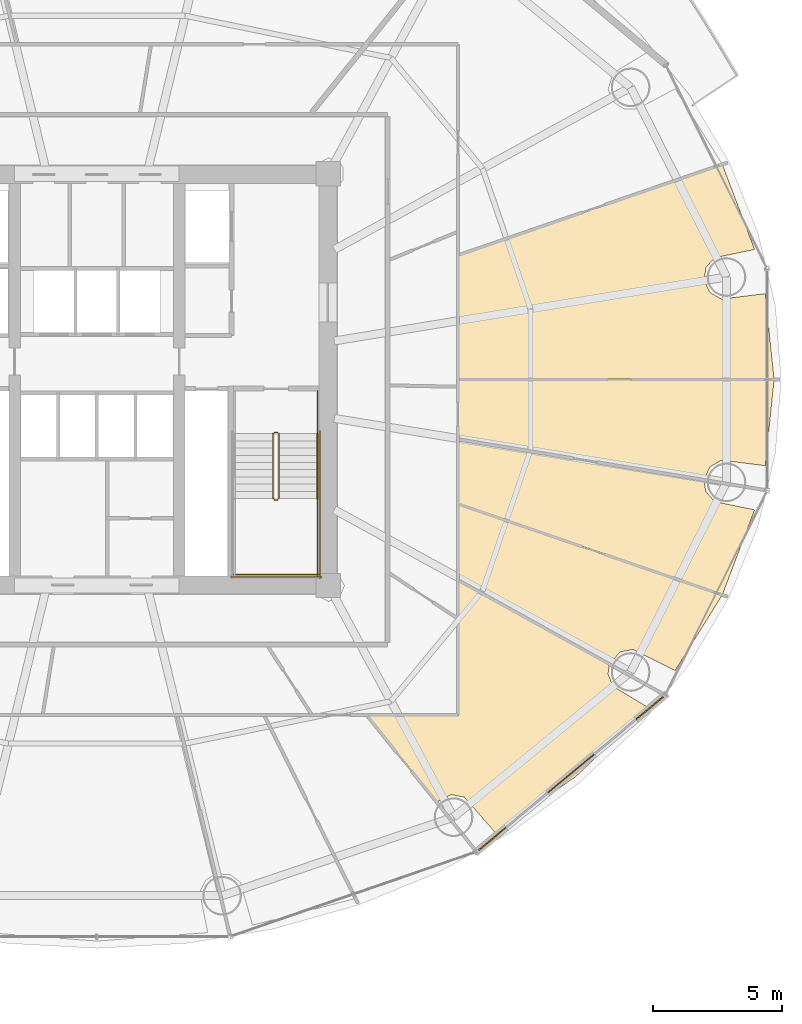
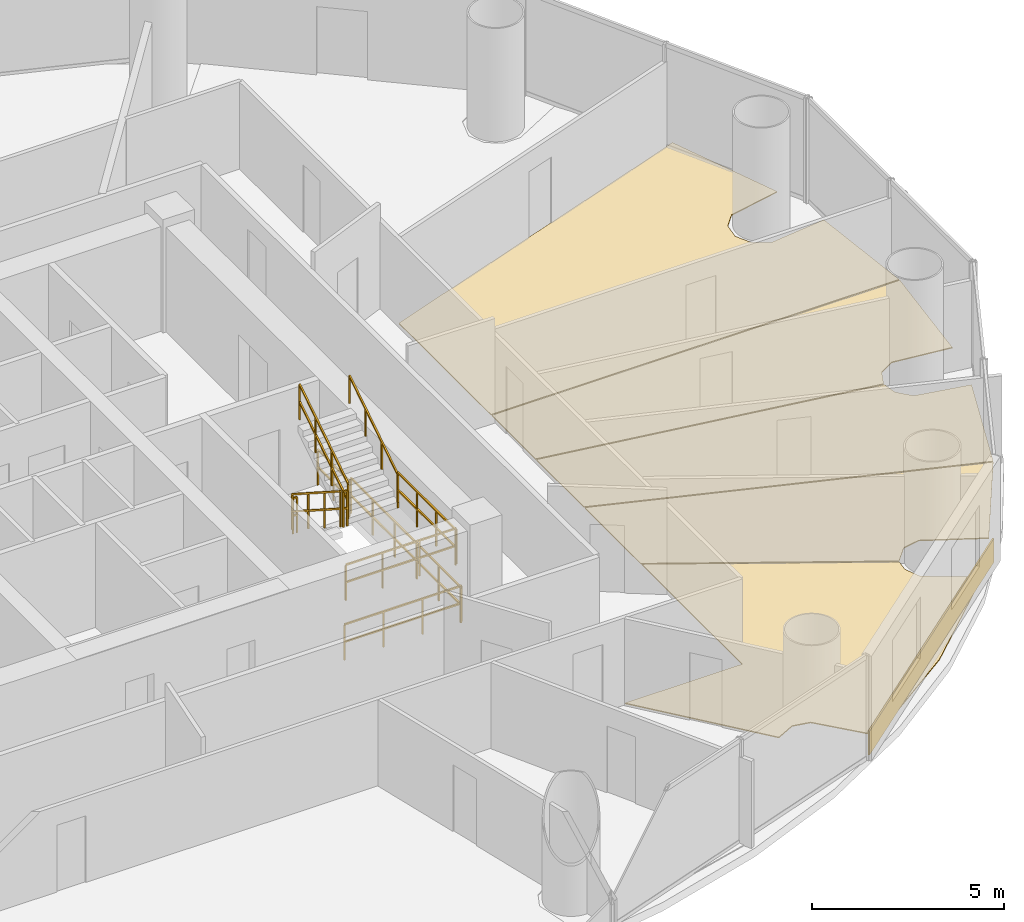
# One storey, part 28 of 29: 10 railings, 6 coverings.
"""IFC4 building model written with IfcOpenShell, lengths in metres."""

from ifc_helpers import new_model, si_unit, direction, frame, origin, origin_2d, place, context, subcontext, project, spatial, polyline, rectangle, outline, extrude, source, transform, mapped, material, layer, layer_set, type_object, element, save


model = new_model("IFC4")

# Units and contexts
model_context = context("Model", 3, precision=1e-05, world=origin(), true_north=direction((-0.2419218956, 0.970295726276)))
body_context = subcontext(model_context, "Body", "Model", "MODEL_VIEW")
ifc_project = project(units=[si_unit("LENGTHUNIT", "METRE"), si_unit("AREAUNIT", "SQUARE_METRE"), si_unit("VOLUMEUNIT", "CUBIC_METRE"), si_unit("PLANEANGLEUNIT", "RADIAN"), si_unit("MASSUNIT", "GRAM", prefix="KILO")], contexts=[model_context])

# Site, building, storey
site_placement = place(None, origin())
site = spatial("IfcSite", under=ifc_project, at=site_placement, CompositionType="ELEMENT")
building_placement = place(site_placement, origin())
building = spatial("IfcBuilding", under=site, at=building_placement, Name="Cobrevalo Terracotta Tower", CompositionType="ELEMENT")
storey_placement = place(building_placement, frame((0.0, 0.0, 115.800048828125)))
storey = spatial("IfcBuildingStorey", under=building, at=storey_placement, Name="L30", CompositionType="ELEMENT", Elevation=115.800048828125)

# Coverings
ifc_material_1 = material(Name="Engineered Brazilian hardwood flooring", Category="wood")
ifc_layer_1 = layer(ifc_material_1, 0.028076171875)
ifc_layer_set_1 = layer_set([ifc_layer_1], Name="Engineered Brazilian hardwood flooring")
covering_type_1 = type_object("IfcCoveringType", Name="Engineered Hardwood Suite Flooring 28", PredefinedType="FLOORING", material=ifc_layer_set_1)
covering_1_placement = place(storey_placement, origin())
element("IfcCovering", 1, at=covering_1_placement, inside=storey, type_object=covering_type_1, Name="Flat L30B Principal Guest Bedroom floor finish", PredefinedType="FLOORING", context=body_context, shape_type="SweptSolid", body=[
    extrude(outline(polyline([(56.6123046875, 11.372314453125), (53.488525390625, 9.193359375), (52.27880859375, 10.5712890625), (51.778076171875, 10.672607421875), (51.219970703125, 10.393798828125), (48.52490234375, 13.7451171875), (52.054931640625, 13.7451171875), (52.054931640625, 18.974609375), (57.916259765625, 15.720703125), (57.868408203125, 15.361328125), (58.05908203125, 14.88720703125), (59.35302734375, 14.102294921875), (58.882080078125, 13.518310546875), (56.6123046875, 11.372314453125)])), origin(), (0.0, 0.0, 1.0), 0.030029296875),
])
covering_2_placement = place(storey_placement, origin())
element("IfcCovering", 2, at=covering_2_placement, inside=storey, type_object=covering_type_1, Name="Flat L30B South Bedroom floor finish", PredefinedType="FLOORING", context=body_context, shape_type="SweptSolid", body=[
    extrude(outline(polyline([(60.474853515625, 15.49462890625), (58.84033203125, 16.3134765625), (58.338134765625, 16.218994140625), (57.9296875, 15.759033203125), (52.054931640625, 19.020263671875), (52.054931640625, 21.94189453125), (62.296875, 18.417236328125), (60.474853515625, 15.49462890625)])), origin(), (0.0, 0.0, 1.0), 0.030029296875),
])
covering_3_placement = place(storey_placement, origin())
element("IfcCovering", 3, at=covering_3_placement, inside=storey, type_object=covering_type_1, Name="Flat L30B Penthouse Family Lounge floor finish", PredefinedType="FLOORING", context=body_context, shape_type="SweptSolid", body=[
    extrude(outline(polyline([(52.054931640625, 21.984375), (52.054931640625, 24.45703125), (61.597412109375, 22.8798828125), (61.669677734375, 22.445556640625), (62.00732421875, 22.06201171875), (63.564208984375, 21.740478515625), (62.3154296875, 18.453369140625), (52.054931640625, 21.984375)])), origin(), (0.0, 0.0, 1.0), 0.030029296875),
])
covering_4_placement = place(storey_placement, origin())
element("IfcCovering", 4, at=covering_4_placement, inside=storey, type_object=covering_type_1, Name="Flat L30B Penthouse Family Lounge floor finish", PredefinedType="FLOORING", context=body_context, shape_type="SweptSolid", body=[
    extrude(outline(polyline([(64.318359375, 26.780029296875), (63.975830078125, 23.45654296875), (62.26904296875, 23.6669921875), (61.8271484375, 23.41064453125), (61.60302734375, 22.919677734375), (52.054931640625, 24.49755859375), (52.054931640625, 26.780029296875), (64.318359375, 26.780029296875)])), origin(), (0.0, 0.0, 1.0), 0.030029296875),
])
covering_5_placement = place(storey_placement, origin())
element("IfcCovering", 5, at=covering_5_placement, inside=storey, type_object=covering_type_1, Name="Flat L30B Penthouse Family Lounge floor finish", PredefinedType="FLOORING", context=body_context, shape_type="SweptSolid", body=[
    extrude(outline(polyline([(62.3154296875, 35.146728515625), (63.564208984375, 31.859619140625), (62.00732421875, 31.537841796875), (61.669677734375, 31.154541015625), (61.60205078125, 30.64794921875), (61.8271484375, 30.189208984375), (62.26904296875, 29.932861328125), (63.975830078125, 30.143310546875), (64.318359375, 26.820068359375), (52.054931640625, 26.820068359375), (52.054931640625, 31.61572265625), (62.3154296875, 35.146728515625)])), origin(), (0.0, 0.0, 1.0), 0.030029296875),
])

# Railings
ifc_material_2 = material(Name="Brushed stainless steel", Category="steel")
railing_type_1 = type_object("IfcRailingType", Name="Stainless Steel Stair Handrail 900", PredefinedType="HANDRAIL", material=ifc_material_2)
railing_1_placement = place(storey_placement, frame((46.574951171875, 22.179931640625, 1.97998046875)))
element("IfcRailing", 6, at=railing_1_placement, inside=storey, type_object=railing_type_1, Name="L30 ST-2 stair handrail 2", PredefinedType="HANDRAIL", context=body_context, shape_type="SweptSolid", body=[
    extrude(rectangle(XDim=0.048095703125, YDim=0.048095703125, at=origin_2d()), frame((0.0, 0.0, 0.8759765625), z_axis=(0.0, 0.841199657755, 0.540724639528), x_axis=(-1.0, 0.0, 0.0)), (0.0, 0.0, 1.0), 2.995849609375),
    extrude(rectangle(XDim=0.0419921875, YDim=0.0419921875, at=origin_2d()), origin(), (0.0, 0.0, 1.0), 0.851806640625),
    extrude(rectangle(XDim=0.0419921875, YDim=0.0419921875, at=origin_2d()), frame((0.0, 0.840087890625, 0.5400390625)), (0.0, 0.0, 1.0), 0.851806640625),
    extrude(rectangle(XDim=0.0419921875, YDim=0.0419921875, at=origin_2d()), frame((0.0, 1.679931640625, 1.079833984375)), (0.0, 0.0, 1.0), 0.851806640625),
    extrude(rectangle(XDim=0.0419921875, YDim=0.0419921875, at=origin_2d()), frame((0.0, 2.52001953125, 1.619873046875)), (0.0, 0.0, 1.0), 0.851806640625),
])
ifc_material_3 = material(Name="Painted galvanized steel", Category="steel")
railing_type_2 = type_object("IfcRailingType", Name="Stair Well Guard Balustrade 1150", PredefinedType="GUARDRAIL", material=ifc_material_3)
railing_2_placement = place(storey_placement, frame((44.85498046875, 24.699951171875, 0.179931640625)))
element("IfcRailing", 7, at=railing_2_placement, inside=storey, type_object=railing_type_2, Name="L30 ST-2 stair guard 1", PredefinedType="GUARDRAIL", context=body_context, shape_type="SweptSolid", body=[
    extrude(rectangle(XDim=0.048095703125, YDim=0.048095703125, at=origin_2d()), frame((0.0, 0.0, 1.1259765625), z_axis=(0.0, -0.841162588446, 0.540782303519), x_axis=(1.0, 0.0, 0.0)), (0.0, 0.0, 1.0), 2.995849609375),
    extrude(rectangle(XDim=0.048095703125, YDim=0.048095703125, at=origin_2d()), frame((0.0, 0.0, 0.574951171875), z_axis=(0.0, -0.841162588446, 0.540782303519), x_axis=(1.0, 0.0, 0.0)), (0.0, 0.0, 1.0), 2.995849609375),
    extrude(rectangle(XDim=0.0419921875, YDim=0.0419921875, at=origin_2d()), origin(), (0.0, 0.0, 1.0), 1.101806640625),
    extrude(rectangle(XDim=0.0419921875, YDim=0.0419921875, at=origin_2d()), frame((0.0, -0.840087890625, 0.5400390625)), (0.0, 0.0, 1.0), 1.101806640625),
    extrude(rectangle(XDim=0.0419921875, YDim=0.0419921875, at=origin_2d()), frame((0.0, -1.679931640625, 1.080078125)), (0.0, 0.0, 1.0), 1.101806640625),
    extrude(rectangle(XDim=0.0419921875, YDim=0.0419921875, at=origin_2d()), frame((0.0, -2.52001953125, 1.6201171875)), (0.0, 0.0, 1.0), 1.101806640625),
])
railing_3_placement = place(storey_placement, frame((44.905029296875, 22.1298828125, 1.800048828125)))
element("IfcRailing", 8, at=railing_3_placement, inside=storey, type_object=railing_type_2, Name="L30 ST-2 stair guard 2", PredefinedType="GUARDRAIL", context=body_context, shape_type="SweptSolid", body=[
    extrude(rectangle(XDim=0.048095703125, YDim=0.048095703125, at=origin_2d()), frame((0.0, 0.0, 1.1259765625), z_axis=(1.0, 0.0, 0.0), x_axis=(0.0, 1.0, 0.0)), (0.0, 0.0, 1.0), 0.119873046875),
    extrude(rectangle(XDim=0.048095703125, YDim=0.048095703125, at=origin_2d()), frame((0.0, 0.0, 0.574951171875), z_axis=(1.0, 0.0, 0.0), x_axis=(0.0, 1.0, 0.0)), (0.0, 0.0, 1.0), 0.119873046875),
    extrude(rectangle(XDim=0.0419921875, YDim=0.0419921875, at=origin_2d()), origin(), (0.0, 0.0, 1.0), 1.101806640625),
    extrude(rectangle(XDim=0.0419921875, YDim=0.0419921875, at=origin_2d()), frame((0.119873046875, 0.0, 0.0)), (0.0, 0.0, 1.0), 1.101806640625),
])
railing_4_placement = place(storey_placement, frame((46.574951171875, 22.179931640625, 1.800048828125)))
element("IfcRailing", 9, at=railing_4_placement, inside=storey, type_object=railing_type_2, Name="L30 ST-2 stair guard 4", PredefinedType="GUARDRAIL", context=body_context, shape_type="SweptSolid", body=[
    extrude(rectangle(XDim=0.048095703125, YDim=0.048095703125, at=origin_2d()), frame((0.0, 0.0, 1.1259765625), z_axis=(0.0, -1.0, 0.0), x_axis=(1.0, 0.0, 0.0)), (0.0, 0.0, 1.0), 3.0048828125),
    extrude(rectangle(XDim=0.048095703125, YDim=0.048095703125, at=origin_2d()), frame((0.0, 0.0, 0.574951171875), z_axis=(0.0, -1.0, 0.0), x_axis=(1.0, 0.0, 0.0)), (0.0, 0.0, 1.0), 3.0048828125),
    extrude(rectangle(XDim=0.0419921875, YDim=0.0419921875, at=origin_2d()), origin(), (0.0, 0.0, 1.0), 1.101806640625),
    extrude(rectangle(XDim=0.0419921875, YDim=0.0419921875, at=origin_2d()), frame((0.0, -1.001708984375, 0.0)), (0.0, 0.0, 1.0), 1.101806640625),
    extrude(rectangle(XDim=0.0419921875, YDim=0.0419921875, at=origin_2d()), frame((0.0, -2.003173828125, 0.0)), (0.0, 0.0, 1.0), 1.101806640625),
    extrude(rectangle(XDim=0.0419921875, YDim=0.0419921875, at=origin_2d()), frame((0.0, -3.0048828125, 0.0)), (0.0, 0.0, 1.0), 1.101806640625),
])
railing_5_placement = place(storey_placement, frame((43.304931640625, 19.22509765625, 1.800048828125)))
element("IfcRailing", 10, at=railing_5_placement, inside=storey, type_object=railing_type_2, Name="L30 ST-2 stair guard 5", PredefinedType="GUARDRAIL", context=body_context, shape_type="SweptSolid", body=[
    extrude(rectangle(XDim=0.048095703125, YDim=0.048095703125, at=origin_2d()), frame((0.0, 0.0, 1.1259765625), z_axis=(1.0, 0.0, 0.0), x_axis=(0.0, 1.0, 0.0)), (0.0, 0.0, 1.0), 3.320068359375),
    extrude(rectangle(XDim=0.048095703125, YDim=0.048095703125, at=origin_2d()), frame((0.0, 0.0, 0.574951171875), z_axis=(1.0, 0.0, 0.0), x_axis=(0.0, 1.0, 0.0)), (0.0, 0.0, 1.0), 3.320068359375),
    extrude(rectangle(XDim=0.0419921875, YDim=0.0419921875, at=origin_2d()), origin(), (0.0, 0.0, 1.0), 1.101806640625),
    extrude(rectangle(XDim=0.0419921875, YDim=0.0419921875, at=origin_2d()), frame((1.106689453125, 0.0, 0.0)), (0.0, 0.0, 1.0), 1.101806640625),
    extrude(rectangle(XDim=0.0419921875, YDim=0.0419921875, at=origin_2d()), frame((2.21337890625, 0.0, 0.0)), (0.0, 0.0, 1.0), 1.101806640625),
    extrude(rectangle(XDim=0.0419921875, YDim=0.0419921875, at=origin_2d()), frame((3.320068359375, 0.0, 0.0)), (0.0, 0.0, 1.0), 1.101806640625),
])
railing_6_placement = place(storey_placement, frame((45.074951171875, 22.179931640625, 1.97998046875)))
element("IfcRailing", 11, at=railing_6_placement, inside=storey, type_object=railing_type_2, Name="L30 ST-2 stair guard 6", PredefinedType="GUARDRAIL", context=body_context, shape_type="SweptSolid", body=[
    extrude(rectangle(XDim=0.048095703125, YDim=0.048095703125, at=origin_2d()), frame((0.0, 0.0, 1.1259765625), z_axis=(0.0, 0.841199657755, 0.540724639528), x_axis=(-1.0, 0.0, 0.0)), (0.0, 0.0, 1.0), 2.995849609375),
    extrude(rectangle(XDim=0.048095703125, YDim=0.048095703125, at=origin_2d()), frame((0.0, 0.0, 0.574951171875), z_axis=(0.0, 0.841199657755, 0.540724639528), x_axis=(-1.0, 0.0, 0.0)), (0.0, 0.0, 1.0), 2.995849609375),
    extrude(rectangle(XDim=0.0419921875, YDim=0.0419921875, at=origin_2d()), origin(), (0.0, 0.0, 1.0), 1.101806640625),
    extrude(rectangle(XDim=0.0419921875, YDim=0.0419921875, at=origin_2d()), frame((0.0, 0.840087890625, 0.5400390625)), (0.0, 0.0, 1.0), 1.101806640625),
    extrude(rectangle(XDim=0.0419921875, YDim=0.0419921875, at=origin_2d()), frame((0.0, 1.679931640625, 1.079833984375)), (0.0, 0.0, 1.0), 1.101806640625),
    extrude(rectangle(XDim=0.0419921875, YDim=0.0419921875, at=origin_2d()), frame((0.0, 2.52001953125, 1.619873046875)), (0.0, 0.0, 1.0), 1.101806640625),
])
railing_7_placement = place(storey_placement, frame((44.905029296875, 24.75, 0.0)))
element("IfcRailing", 12, at=railing_7_placement, inside=storey, type_object=railing_type_2, Name="L30 ST-2 stair guard 7", PredefinedType="GUARDRAIL", context=body_context, shape_type="SweptSolid", body=[
    extrude(rectangle(XDim=0.048095703125, YDim=0.048095703125, at=origin_2d()), frame((0.0, 0.0, 1.1259765625), z_axis=(1.0, 0.0, 0.0), x_axis=(0.0, 1.0, 0.0)), (0.0, 0.0, 1.0), 0.119873046875),
    extrude(rectangle(XDim=0.048095703125, YDim=0.048095703125, at=origin_2d()), frame((0.0, 0.0, 0.574951171875), z_axis=(1.0, 0.0, 0.0), x_axis=(0.0, 1.0, 0.0)), (0.0, 0.0, 1.0), 0.119873046875),
    extrude(rectangle(XDim=0.0419921875, YDim=0.0419921875, at=origin_2d()), origin(), (0.0, 0.0, 1.0), 1.101806640625),
    extrude(rectangle(XDim=0.0419921875, YDim=0.0419921875, at=origin_2d()), frame((0.119873046875, 0.0, 0.0)), (0.0, 0.0, 1.0), 1.101806640625),
])
railing_8_placement = place(storey_placement, frame((46.574951171875, 26.35009765625, 0.0)))
element("IfcRailing", 13, at=railing_8_placement, inside=storey, type_object=railing_type_2, Name="L30 ST-2 stair guard 9", PredefinedType="GUARDRAIL", context=body_context, shape_type="SweptSolid", body=[
    extrude(rectangle(XDim=0.048095703125, YDim=0.048095703125, at=origin_2d()), frame((0.0, 0.0, 1.1259765625), z_axis=(0.0, -1.0, 0.0), x_axis=(1.0, 0.0, 0.0)), (0.0, 0.0, 1.0), 1.650146484375),
    extrude(rectangle(XDim=0.048095703125, YDim=0.048095703125, at=origin_2d()), frame((0.0, 0.0, 0.574951171875), z_axis=(0.0, -1.0, 0.0), x_axis=(1.0, 0.0, 0.0)), (0.0, 0.0, 1.0), 1.650146484375),
    extrude(rectangle(XDim=0.0419921875, YDim=0.0419921875, at=origin_2d()), origin(), (0.0, 0.0, 1.0), 1.101806640625),
    extrude(rectangle(XDim=0.0419921875, YDim=0.0419921875, at=origin_2d()), frame((0.0, -0.8251953125, 0.0)), (0.0, 0.0, 1.0), 1.101806640625),
    extrude(rectangle(XDim=0.0419921875, YDim=0.0419921875, at=origin_2d()), frame((0.0, -1.650146484375, 0.0)), (0.0, 0.0, 1.0), 1.101806640625),
])
railing_9_placement = place(storey_placement, frame((46.675048828125, 24.800048828125, 0.0)))
element("IfcRailing", 14, at=railing_9_placement, inside=storey, type_object=railing_type_2, Name="L30 ST-2 stair guard 11", PredefinedType="GUARDRAIL", context=body_context, shape_type="SweptSolid", body=[
    extrude(rectangle(XDim=0.048095703125, YDim=0.048095703125, at=origin_2d()), frame((0.0, 0.0, 1.1259765625), z_axis=(0.0, -1.0, 0.0), x_axis=(1.0, 0.0, 0.0)), (0.0, 0.0, 1.0), 5.72509765625),
    extrude(rectangle(XDim=0.048095703125, YDim=0.048095703125, at=origin_2d()), frame((0.0, 0.0, 0.574951171875), z_axis=(0.0, -1.0, 0.0), x_axis=(1.0, 0.0, 0.0)), (0.0, 0.0, 1.0), 5.72509765625),
    extrude(rectangle(XDim=0.0419921875, YDim=0.0419921875, at=origin_2d()), origin(), (0.0, 0.0, 1.0), 1.101806640625),
    extrude(rectangle(XDim=0.0419921875, YDim=0.0419921875, at=origin_2d()), frame((0.0, -1.14501953125, 0.0)), (0.0, 0.0, 1.0), 1.101806640625),
    extrude(rectangle(XDim=0.0419921875, YDim=0.0419921875, at=origin_2d()), frame((0.0, -2.2900390625, 0.0)), (0.0, 0.0, 1.0), 1.101806640625),
    extrude(rectangle(XDim=0.0419921875, YDim=0.0419921875, at=origin_2d()), frame((0.0, -3.43505859375, 0.0)), (0.0, 0.0, 1.0), 1.101806640625),
    extrude(rectangle(XDim=0.0419921875, YDim=0.0419921875, at=origin_2d()), frame((0.0, -4.580078125, 0.0)), (0.0, 0.0, 1.0), 1.101806640625),
    extrude(rectangle(XDim=0.0419921875, YDim=0.0419921875, at=origin_2d()), frame((0.0, -5.72509765625, 0.0)), (0.0, 0.0, 1.0), 1.101806640625),
])
railing_10_placement = place(storey_placement, frame((43.205078125, 19.125, 0.0)))
element("IfcRailing", 15, at=railing_10_placement, inside=storey, type_object=railing_type_2, Name="L30 ST-2 stair guard 12", PredefinedType="GUARDRAIL", context=body_context, shape_type="SweptSolid", body=[
    extrude(rectangle(XDim=0.048095703125, YDim=0.048095703125, at=origin_2d()), frame((0.0, 0.0, 1.1259765625), z_axis=(1.0, 0.0, 0.0), x_axis=(0.0, 1.0, 0.0)), (0.0, 0.0, 1.0), 3.52001953125),
    extrude(rectangle(XDim=0.048095703125, YDim=0.048095703125, at=origin_2d()), frame((0.0, 0.0, 0.574951171875), z_axis=(1.0, 0.0, 0.0), x_axis=(0.0, 1.0, 0.0)), (0.0, 0.0, 1.0), 3.52001953125),
    extrude(rectangle(XDim=0.0419921875, YDim=0.0419921875, at=origin_2d()), origin(), (0.0, 0.0, 1.0), 1.101806640625),
    extrude(rectangle(XDim=0.0419921875, YDim=0.0419921875, at=origin_2d()), frame((1.17333984375, 0.0, 0.0)), (0.0, 0.0, 1.0), 1.101806640625),
    extrude(rectangle(XDim=0.0419921875, YDim=0.0419921875, at=origin_2d()), frame((2.3466796875, 0.0, 0.0)), (0.0, 0.0, 1.0), 1.101806640625),
    extrude(rectangle(XDim=0.0419921875, YDim=0.0419921875, at=origin_2d()), frame((3.52001953125, 0.0, 0.0)), (0.0, 0.0, 1.0), 1.101806640625),
])

# Covering
ifc_material_4 = material(Name="Glazed terracotta facade cladding tile", Category="masonry")
ifc_layer_2 = layer(ifc_material_4, 0.044921875)
ifc_layer_set_2 = layer_set([ifc_layer_2], Name="Glazed terracotta facade cladding tile")
covering_type_2 = type_object("IfcCoveringType", Name="Architectural terracotta rainscreen spandrel cladding 45 mm", PredefinedType="CLADDING", material=ifc_layer_set_2)
shared_shape = source(origin(), body_context, "Body", "SweptSolid", [
    extrude(rectangle(XDim=9.32958984375, YDim=0.044921875, at=origin_2d()), origin(), (0.0, 0.0, 1.0), 0.760009765625),
])
covering_6_placement = place(storey_placement, frame((56.4267578125, 11.493896484375, 0.0400390625), z_axis=(0.0, 0.0, 1.0), x_axis=(0.769241221277, 0.638958483384, 0.0)))
element("IfcCovering", 16, at=covering_6_placement, inside=storey, type_object=covering_type_2, Name="L30 terracotta spandrel cladding S14", PredefinedType="CLADDING", context=body_context, shape_type="MappedRepresentation", body=[
    mapped(shared_shape, transform((0.0, 0.0, 0.0), scale=1.0)),
])

save(model, "model.ifc")
